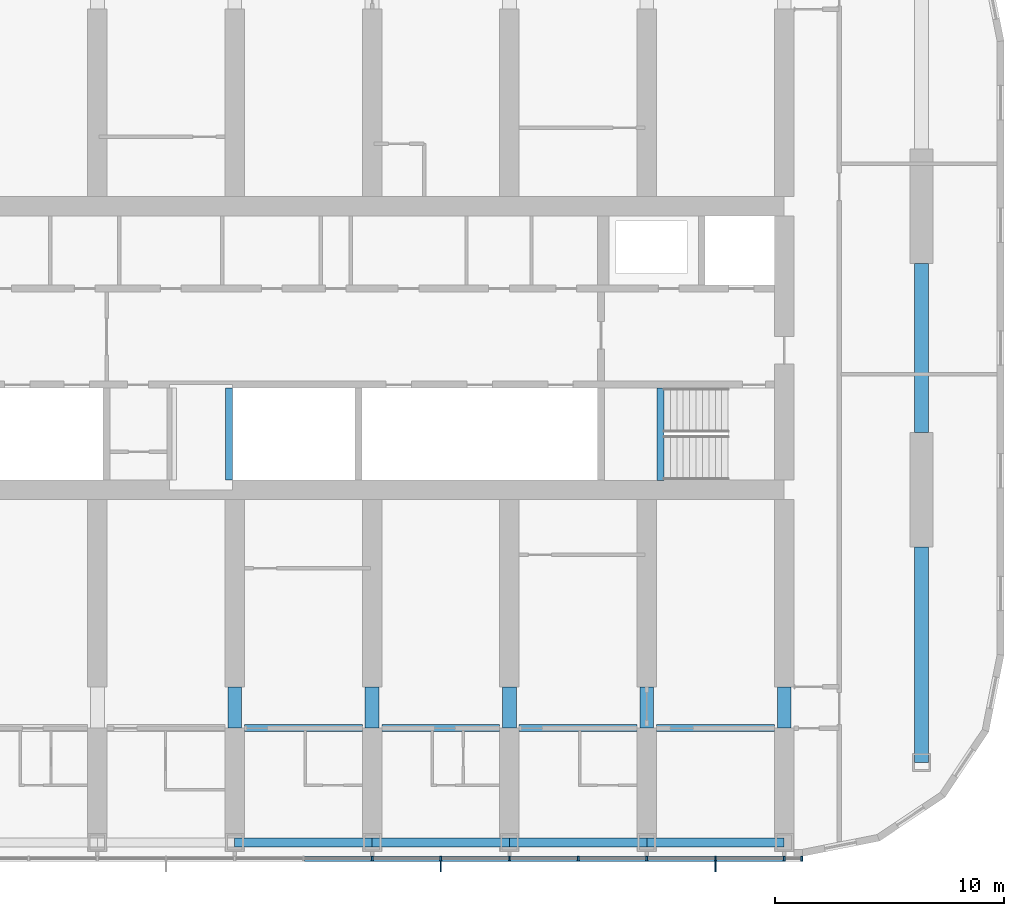
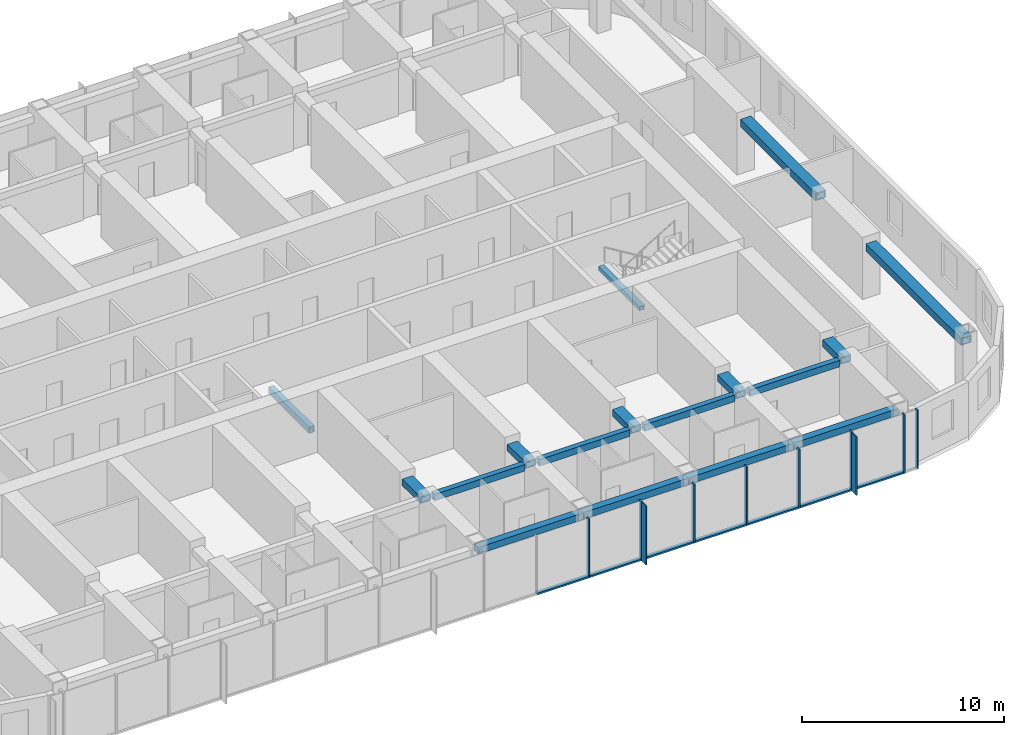
# One storey, part 3 of 22: 17 beams, 17 members, 1 element without a shape of its own.
"""IFC4 building model written with IfcOpenShell, lengths in metres."""

from ifc_helpers import new_model, si_unit, direction, frame, origin, origin_2d, place, context, subcontext, project, spatial, rectangle, hollow_rectangle, extrude, material, material_profile, profile_set, type_object, element, aggregate, save


model = new_model("IFC4")

# Units and contexts
model_context = context("Model", 3, precision=1e-05, world=origin(), true_north=direction((0.0, 1.0)))
body_context = subcontext(model_context, "Body", "Model", "MODEL_VIEW")
ifc_project = project(units=[si_unit("LENGTHUNIT", "METRE"), si_unit("AREAUNIT", "SQUARE_METRE"), si_unit("VOLUMEUNIT", "CUBIC_METRE"), si_unit("PLANEANGLEUNIT", "RADIAN"), si_unit("MASSUNIT", "GRAM", prefix="KILO")], contexts=[model_context])

# Site, building, storey
site_placement = place(None, origin())
site = spatial("IfcSite", under=ifc_project, at=site_placement, CompositionType="ELEMENT")
building_placement = place(site_placement, origin())
building = spatial("IfcBuilding", under=site, at=building_placement, Name="Orbita Commons", CompositionType="ELEMENT")
storey_placement = place(building_placement, frame((0.0, 0.0, 144.85009765625)))
storey = spatial("IfcBuildingStorey", under=building, at=storey_placement, Name="L35", CompositionType="ELEMENT", Elevation=144.85009765625)

# Curtain wall, members
ifc_material_1 = material(Name="Anodised aluminium frame, pale silver", Category="aluminium")
curtain_wall_type = type_object("IfcCurtainWallType", Name="Unitised curtain wall CW-U, full-height vision", PredefinedType="NOTDEFINED", material=ifc_material_1)
curtain_wall_placement = place(storey_placement, origin())
curtain_wall = element("IfcCurtainWall", 1, at=curtain_wall_placement, inside=storey, type_object=curtain_wall_type, Name="Curtain wall south L35", PredefinedType="NOTDEFINED")
ifc_material_2 = material(Name="Anodised aluminium, pale silver", Category="aluminium")
ifc_material_profile_1 = material_profile(ifc_material_2, rectangle(XDim=0.080078125, YDim=0.219970703125, at=origin_2d()), Name="AL 80x220")
ifc_profile_set_1 = profile_set([ifc_material_profile_1], Name="Anodised aluminium, pale silver")
member_type_1 = type_object("IfcMemberType", Name="Curtain wall mullion 80x220", PredefinedType="MULLION", material=ifc_profile_set_1)
member_1_placement = place(storey_placement, frame((48.0, 9.68994140625, -0.25), z_axis=(0.0, 0.0, 1.0), x_axis=(1.0, 0.0, 0.0)))
member_1 = element("IfcMember", 2, at=member_1_placement, type_object=member_type_1, Name="Mullion 12 CW-L35-S", PredefinedType="MULLION", context=body_context, shape_type="SweptSolid", body=[
    extrude(rectangle(XDim=0.080078125, YDim=0.219970703125, at=origin_2d()), origin(), (0.0, 0.0, 1.0), 3.5498046875),
])
member_2_placement = place(storey_placement, frame((51.0, 9.68994140625, -0.25), z_axis=(0.0, 0.0, 1.0), x_axis=(1.0, 0.0, 0.0)))
member_2 = element("IfcMember", 3, at=member_2_placement, type_object=member_type_1, Name="Mullion 13 CW-L35-S", PredefinedType="MULLION", context=body_context, shape_type="SweptSolid", body=[
    extrude(rectangle(XDim=0.080078125, YDim=0.219970703125, at=origin_2d()), origin(), (0.0, 0.0, 1.0), 3.5498046875),
])
member_3_placement = place(storey_placement, frame((54.0, 9.68994140625, -0.25), z_axis=(0.0, 0.0, 1.0), x_axis=(1.0, 0.0, 0.0)))
member_3 = element("IfcMember", 4, at=member_3_placement, type_object=member_type_1, Name="Mullion 14 CW-L35-S", PredefinedType="MULLION", context=body_context, shape_type="SweptSolid", body=[
    extrude(rectangle(XDim=0.080078125, YDim=0.219970703125, at=origin_2d()), origin(), (0.0, 0.0, 1.0), 3.5498046875),
])
member_4_placement = place(storey_placement, frame((57.0, 9.68994140625, -0.25), z_axis=(0.0, 0.0, 1.0), x_axis=(1.0, 0.0, 0.0)))
member_4 = element("IfcMember", 5, at=member_4_placement, type_object=member_type_1, Name="Mullion 15 CW-L35-S", PredefinedType="MULLION", context=body_context, shape_type="SweptSolid", body=[
    extrude(rectangle(XDim=0.080078125, YDim=0.219970703125, at=origin_2d()), origin(), (0.0, 0.0, 1.0), 3.5498046875),
])
member_5_placement = place(storey_placement, frame((60.0, 9.68994140625, -0.25), z_axis=(0.0, 0.0, 1.0), x_axis=(1.0, 0.0, 0.0)))
member_5 = element("IfcMember", 6, at=member_5_placement, type_object=member_type_1, Name="Mullion 16 CW-L35-S", PredefinedType="MULLION", context=body_context, shape_type="SweptSolid", body=[
    extrude(rectangle(XDim=0.080078125, YDim=0.219970703125, at=origin_2d()), origin(), (0.0, 0.0, 1.0), 3.5498046875),
])
member_6_placement = place(storey_placement, frame((63.0, 9.68994140625, -0.25), z_axis=(0.0, 0.0, 1.0), x_axis=(1.0, 0.0, 0.0)))
member_6 = element("IfcMember", 7, at=member_6_placement, type_object=member_type_1, Name="Mullion 17 CW-L35-S", PredefinedType="MULLION", context=body_context, shape_type="SweptSolid", body=[
    extrude(rectangle(XDim=0.080078125, YDim=0.219970703125, at=origin_2d()), origin(), (0.0, 0.0, 1.0), 3.5498046875),
])
member_7_placement = place(storey_placement, frame((66.0, 9.68994140625, -0.25), z_axis=(0.0, 0.0, 1.0), x_axis=(1.0, 0.0, 0.0)))
member_7 = element("IfcMember", 8, at=member_7_placement, type_object=member_type_1, Name="Mullion 18 CW-L35-S", PredefinedType="MULLION", context=body_context, shape_type="SweptSolid", body=[
    extrude(rectangle(XDim=0.080078125, YDim=0.219970703125, at=origin_2d()), origin(), (0.0, 0.0, 1.0), 3.5498046875),
])
member_8_placement = place(storey_placement, frame((66.760009765625, 9.68994140625, -0.25), z_axis=(0.0, 0.0, 1.0), x_axis=(1.0, 0.0, 0.0)))
member_8 = element("IfcMember", 9, at=member_8_placement, type_object=member_type_1, Name="Mullion 19 CW-L35-S", PredefinedType="MULLION", context=body_context, shape_type="SweptSolid", body=[
    extrude(rectangle(XDim=0.080078125, YDim=0.219970703125, at=origin_2d()), origin(), (0.0, 0.0, 1.0), 3.5498046875),
])
ifc_material_3 = material(Name="Anodised aluminium, pale silver", Category="aluminium")
ifc_material_profile_2 = material_profile(ifc_material_3, rectangle(XDim=0.219970703125, YDim=0.10009765625, at=origin_2d()), Name="AL 220x100")
ifc_profile_set_2 = profile_set([ifc_material_profile_2], Name="Anodised aluminium, pale silver")
member_type_2 = type_object("IfcMemberType", Name="Curtain wall stack transom 220x100", PredefinedType="USERDEFINED", material=ifc_profile_set_2)
member_9_placement = place(storey_placement, frame((45.0400390625, 9.68994140625, -0.2001953125), z_axis=(1.0, 0.0, 0.0), x_axis=(0.0, 1.0, 0.0)))
member_9 = element("IfcMember", 10, at=member_9_placement, type_object=member_type_2, Name="Transom 11.1 CW-L35-S", ObjectType="TRANSOM", PredefinedType="USERDEFINED", context=body_context, shape_type="SweptSolid", body=[
    extrude(rectangle(XDim=0.219970703125, YDim=0.10009765625, at=origin_2d()), origin(), (0.0, 0.0, 1.0), 2.919921875),
])
member_10_placement = place(storey_placement, frame((48.0400390625, 9.68994140625, -0.2001953125), z_axis=(1.0, 0.0, 0.0), x_axis=(0.0, 1.0, 0.0)))
member_10 = element("IfcMember", 11, at=member_10_placement, type_object=member_type_2, Name="Transom 12.1 CW-L35-S", ObjectType="TRANSOM", PredefinedType="USERDEFINED", context=body_context, shape_type="SweptSolid", body=[
    extrude(rectangle(XDim=0.219970703125, YDim=0.10009765625, at=origin_2d()), origin(), (0.0, 0.0, 1.0), 2.919921875),
])
member_11_placement = place(storey_placement, frame((51.0400390625, 9.68994140625, -0.2001953125), z_axis=(1.0, 0.0, 0.0), x_axis=(0.0, 1.0, 0.0)))
member_11 = element("IfcMember", 12, at=member_11_placement, type_object=member_type_2, Name="Transom 13.1 CW-L35-S", ObjectType="TRANSOM", PredefinedType="USERDEFINED", context=body_context, shape_type="SweptSolid", body=[
    extrude(rectangle(XDim=0.219970703125, YDim=0.10009765625, at=origin_2d()), origin(), (0.0, 0.0, 1.0), 2.919921875),
])
member_12_placement = place(storey_placement, frame((54.0400390625, 9.68994140625, -0.2001953125), z_axis=(1.0, 0.0, 0.0), x_axis=(0.0, 1.0, 0.0)))
member_12 = element("IfcMember", 13, at=member_12_placement, type_object=member_type_2, Name="Transom 14.1 CW-L35-S", ObjectType="TRANSOM", PredefinedType="USERDEFINED", context=body_context, shape_type="SweptSolid", body=[
    extrude(rectangle(XDim=0.219970703125, YDim=0.10009765625, at=origin_2d()), origin(), (0.0, 0.0, 1.0), 2.919921875),
])
member_13_placement = place(storey_placement, frame((57.0400390625, 9.68994140625, -0.2001953125), z_axis=(1.0, 0.0, 0.0), x_axis=(0.0, 1.0, 0.0)))
member_13 = element("IfcMember", 14, at=member_13_placement, type_object=member_type_2, Name="Transom 15.1 CW-L35-S", ObjectType="TRANSOM", PredefinedType="USERDEFINED", context=body_context, shape_type="SweptSolid", body=[
    extrude(rectangle(XDim=0.219970703125, YDim=0.10009765625, at=origin_2d()), origin(), (0.0, 0.0, 1.0), 2.919921875),
])
member_14_placement = place(storey_placement, frame((60.0400390625, 9.68994140625, -0.2001953125), z_axis=(1.0, 0.0, 0.0), x_axis=(0.0, 1.0, 0.0)))
member_14 = element("IfcMember", 15, at=member_14_placement, type_object=member_type_2, Name="Transom 16.1 CW-L35-S", ObjectType="TRANSOM", PredefinedType="USERDEFINED", context=body_context, shape_type="SweptSolid", body=[
    extrude(rectangle(XDim=0.219970703125, YDim=0.10009765625, at=origin_2d()), origin(), (0.0, 0.0, 1.0), 2.919921875),
])
member_15_placement = place(storey_placement, frame((63.0400390625, 9.68994140625, -0.2001953125), z_axis=(1.0, 0.0, 0.0), x_axis=(0.0, 1.0, 0.0)))
member_15 = element("IfcMember", 16, at=member_15_placement, type_object=member_type_2, Name="Transom 17.1 CW-L35-S", ObjectType="TRANSOM", PredefinedType="USERDEFINED", context=body_context, shape_type="SweptSolid", body=[
    extrude(rectangle(XDim=0.219970703125, YDim=0.10009765625, at=origin_2d()), origin(), (0.0, 0.0, 1.0), 2.919921875),
])

# Beams
ifc_material_4 = material(Name="Steel ASTM A572 Gr 50 welded plate", Category="steel")
ifc_material_profile_3 = material_profile(ifc_material_4, hollow_rectangle(XDim=0.300048828125, YDim=0.39990234375, WallThickness=0.0400390625, at=origin_2d()), Name="BOX 400x300x40")
ifc_profile_set_3 = profile_set([ifc_material_profile_3], Name="Steel ASTM A572 Gr 50 welded plate")
beam_type_1 = type_object("IfcBeamType", Name="Lift overrun beam steel BOX 400x300x40", PredefinedType="BEAM", material=ifc_profile_set_3)
beam_1_placement = place(storey_placement, frame((41.75, 26.22509765625, 0.7998046875), z_axis=(0.0, 1.0, 0.0), x_axis=(-1.0, 0.0, 0.0)))
element("IfcBeam", 17, at=beam_1_placement, inside=storey, type_object=beam_type_1, Name="Lift overrun roof bank SH2 beam e", PredefinedType="BEAM", context=body_context, shape_type="SweptSolid", body=[
    extrude(hollow_rectangle(XDim=0.300048828125, YDim=0.39990234375, WallThickness=0.0400390625, at=origin_2d()), origin(), (0.0, 0.0, 1.0), 4.02490234375),
])
ifc_material_5 = material(Name="Steel ASTM A572 Gr 50 welded plate", Category="steel")
ifc_material_profile_4 = material_profile(ifc_material_5, hollow_rectangle(XDim=0.300048828125, YDim=0.25, WallThickness=0.02490234375, at=origin_2d()), Name="BOX 250x300x25")
ifc_profile_set_4 = profile_set([ifc_material_profile_4], Name="Steel ASTM A572 Gr 50 welded plate")
beam_type_2 = type_object("IfcBeamType", Name="Stair landing beam steel BOX 250x300x25", PredefinedType="BEAM", material=ifc_profile_set_4)
beam_2_placement = place(storey_placement, frame((60.60009765625, 26.2099609375, 1.5498046875), z_axis=(0.0, 1.0, 0.0), x_axis=(-1.0, 0.0, 0.0)))
element("IfcBeam", 18, at=beam_2_placement, inside=storey, type_object=beam_type_2, Name="Stair S2 landing beam L35 1", PredefinedType="BEAM", context=body_context, shape_type="SweptSolid", body=[
    extrude(hollow_rectangle(XDim=0.300048828125, YDim=0.25, WallThickness=0.02490234375, at=origin_2d()), origin(), (0.0, 0.0, 1.0), 4.054931640625),
])
ifc_material_6 = material(Name="Steel ASTM A572 Gr 50 welded plate", Category="steel")
ifc_material_profile_5 = material_profile(ifc_material_6, hollow_rectangle(XDim=0.300048828125, YDim=0.39990234375, WallThickness=0.0400390625, at=origin_2d()), Name="BOX 400x300x40")
ifc_profile_set_5 = profile_set([ifc_material_profile_5], Name="Steel ASTM A572 Gr 50 welded plate")
beam_type_3 = type_object("IfcBeamType", Name="Steel corridor link BOX 400x300x40", PredefinedType="BEAM", material=ifc_profile_set_5)
for number, where, z_axis, x_axis, name in (
    (19, (42.425048828125, 15.39990234375, 3.099853515625), (1.0, 0.0, 0.0), (0.0, 1.0, 0.0), "Corridor beam SA 8-9 L35"),
    (20, (48.425048828125, 15.39990234375, 3.099853515625), (1.0, 0.0, 0.0), (0.0, 1.0, 0.0), "Corridor beam SA 9-10 L35"),
    (21, (54.425048828125, 15.39990234375, 3.099853515625), (1.0, 0.0, 0.0), (0.0, 1.0, 0.0), "Corridor beam SA 10-11 L35"),
    (22, (60.425048828125, 15.39990234375, 3.099853515625), (1.0, 0.0, 0.0), (0.0, 1.0, 0.0), "Corridor beam SA 11-12 L35"),
):
    element("IfcBeam", number, at=place(storey_placement, frame(where, z_axis=z_axis, x_axis=x_axis)), inside=storey, type_object=beam_type_3, Name=name, PredefinedType="BEAM", context=body_context, shape_type="SweptSolid", body=[
        extrude(hollow_rectangle(XDim=0.300048828125, YDim=0.39990234375, WallThickness=0.0400390625, at=origin_2d()), origin(), (0.0, 0.0, 1.0), 5.14990234375),
    ])
ifc_material_7 = material(Name="Steel ASTM A572 Gr 50 welded plate", Category="steel")
ifc_material_profile_6 = material_profile(ifc_material_7, hollow_rectangle(XDim=0.60009765625, YDim=0.39990234375, WallThickness=0.050048828125, at=origin_2d()), Name="BOX 400x600x50")
ifc_profile_set_6 = profile_set([ifc_material_profile_6], Name="Steel ASTM A572 Gr 50 welded plate")
beam_type_4 = type_object("IfcBeamType", Name="Steel coupling link BOX 400x600x50", PredefinedType="LINTEL", material=ifc_profile_set_6)
for number, where, z_axis, x_axis, name in (
    (23, (42.0, 15.39990234375, 3.099853515625), (0.0, 1.0, 0.0), (-1.0, 0.0, 0.0), "Coupling beam 8 south L35"),
    (24, (48.0, 15.39990234375, 3.099853515625), (0.0, 1.0, 0.0), (-1.0, 0.0, 0.0), "Coupling beam 9 south L35"),
    (25, (54.0, 15.39990234375, 3.099853515625), (0.0, 1.0, 0.0), (-1.0, 0.0, 0.0), "Coupling beam 10 south L35"),
    (26, (60.0, 15.39990234375, 3.099853515625), (0.0, 1.0, 0.0), (-1.0, 0.0, 0.0), "Coupling beam 11 south L35"),
    (27, (66.0, 15.39990234375, 3.099853515625), (0.0, 1.0, 0.0), (-1.0, 0.0, 0.0), "Coupling beam 12 south L35"),
):
    element("IfcBeam", number, at=place(storey_placement, frame(where, z_axis=z_axis, x_axis=x_axis)), inside=storey, type_object=beam_type_4, Name=name, PredefinedType="LINTEL", context=body_context, shape_type="SweptSolid", body=[
        extrude(hollow_rectangle(XDim=0.60009765625, YDim=0.39990234375, WallThickness=0.050048828125, at=origin_2d()), origin(), (0.0, 0.0, 1.0), 1.800048828125),
    ])
ifc_material_8 = material(Name="Steel ASTM A572 Gr 50 welded plate", Category="steel")
ifc_material_profile_7 = material_profile(ifc_material_8, hollow_rectangle(XDim=0.60009765625, YDim=0.449951171875, WallThickness=0.06005859375, at=origin_2d()), Name="BOX 450x600x60")
ifc_profile_set_7 = profile_set([ifc_material_profile_7], Name="Steel ASTM A572 Gr 50 welded plate")
beam_type_5 = type_object("IfcBeamType", Name="Steel end frame link BOX 450x600x60", PredefinedType="BEAM", material=ifc_profile_set_7)
beam_3_placement = place(storey_placement, frame((72.0, 13.89990234375, 3.074951171875), z_axis=(0.0, 1.0, 0.0), x_axis=(-1.0, 0.0, 0.0)))
element("IfcBeam", 28, at=beam_3_placement, inside=storey, type_object=beam_type_5, Name="End frame beam 13 B-C L35", PredefinedType="BEAM", context=body_context, shape_type="SweptSolid", body=[
    extrude(hollow_rectangle(XDim=0.60009765625, YDim=0.449951171875, WallThickness=0.06005859375, at=origin_2d()), origin(), (0.0, 0.0, 1.0), 9.400146484375),
])
beam_4_placement = place(storey_placement, frame((72.0, 28.300048828125, 3.074951171875), z_axis=(0.0, 1.0, 0.0), x_axis=(-1.0, 0.0, 0.0)))
element("IfcBeam", 29, at=beam_4_placement, inside=storey, type_object=beam_type_5, Name="End frame beam 13 C-D L35", PredefinedType="BEAM", context=body_context, shape_type="SweptSolid", body=[
    extrude(hollow_rectangle(XDim=0.60009765625, YDim=0.449951171875, WallThickness=0.06005859375, at=origin_2d()), origin(), (0.0, 0.0, 1.0), 7.39990234375),
])
ifc_material_9 = material(Name="Steel ASTM A572 Gr 50 welded plate", Category="steel")
ifc_material_profile_8 = material_profile(ifc_material_9, hollow_rectangle(XDim=0.39990234375, YDim=0.39990234375, WallThickness=0.0400390625, at=origin_2d()), Name="BOX 400x400x40")
ifc_profile_set_8 = profile_set([ifc_material_profile_8], Name="Steel ASTM A572 Gr 50 welded plate")
beam_type_6 = type_object("IfcBeamType", Name="Steel spandrel BOX 400x400x40", PredefinedType="SPANDREL", material=ifc_profile_set_8)
for number, where, z_axis, x_axis, name in (
    (30, (42.0, 10.39990234375, 3.099853515625), (1.0, 0.0, 0.0), (0.0, 1.0, 0.0), "Spandrel beam B 8-9 L35"),
    (31, (48.0, 10.39990234375, 3.099853515625), (1.0, 0.0, 0.0), (0.0, 1.0, 0.0), "Spandrel beam B 9-10 L35"),
    (32, (54.0, 10.39990234375, 3.099853515625), (1.0, 0.0, 0.0), (0.0, 1.0, 0.0), "Spandrel beam B 10-11 L35"),
    (33, (60.0, 10.39990234375, 3.099853515625), (1.0, 0.0, 0.0), (0.0, 1.0, 0.0), "Spandrel beam B 11-12 L35"),
):
    element("IfcBeam", number, at=place(storey_placement, frame(where, z_axis=z_axis, x_axis=x_axis)), inside=storey, type_object=beam_type_6, Name=name, PredefinedType="SPANDREL", context=body_context, shape_type="SweptSolid", body=[
        extrude(hollow_rectangle(XDim=0.39990234375, YDim=0.39990234375, WallThickness=0.0400390625, at=origin_2d()), origin(), (0.0, 0.0, 1.0), 6.0),
    ])

# Member
ifc_material_10 = material(Name="Anodised aluminium, pale silver", Category="aluminium")
ifc_material_profile_9 = material_profile(ifc_material_10, rectangle(XDim=0.06005859375, YDim=0.449951171875, at=origin_2d()), Name="FIN 60x450")
ifc_profile_set_9 = profile_set([ifc_material_profile_9], Name="Anodised aluminium, pale silver")
member_type_3 = type_object("IfcMemberType", Name="Vertical fin 60x450 pale aluminium", PredefinedType="USERDEFINED", material=ifc_profile_set_9)
member_16_placement = place(storey_placement, frame((51.0, 9.35498046875, -0.25), z_axis=(0.0, 0.0, 1.0), x_axis=(1.0, 0.0, 0.0)))
member_16 = element("IfcMember", 34, at=member_16_placement, type_object=member_type_3, Name="Fin 13 CW-L35-S", ObjectType="FIN", PredefinedType="USERDEFINED", context=body_context, shape_type="SweptSolid", body=[
    extrude(rectangle(XDim=0.06005859375, YDim=0.449951171875, at=origin_2d()), origin(), (0.0, 0.0, 1.0), 3.5498046875),
])

member_17_placement = place(storey_placement, frame((63.0, 9.35498046875, -0.25), z_axis=(0.0, 0.0, 1.0), x_axis=(1.0, 0.0, 0.0)))
member_17 = element("IfcMember", 35, at=member_17_placement, type_object=member_type_3, Name="Fin 17 CW-L35-S", ObjectType="FIN", PredefinedType="USERDEFINED", context=body_context, shape_type="SweptSolid", body=[
    extrude(rectangle(XDim=0.06005859375, YDim=0.449951171875, at=origin_2d()), origin(), (0.0, 0.0, 1.0), 3.5498046875),
])

aggregate(curtain_wall, [member_1, member_2, member_16, member_3, member_4, member_5, member_6, member_17, member_7, member_8, member_9, member_10, member_11, member_12, member_13, member_14, member_15])

save(model, "model.ifc")
